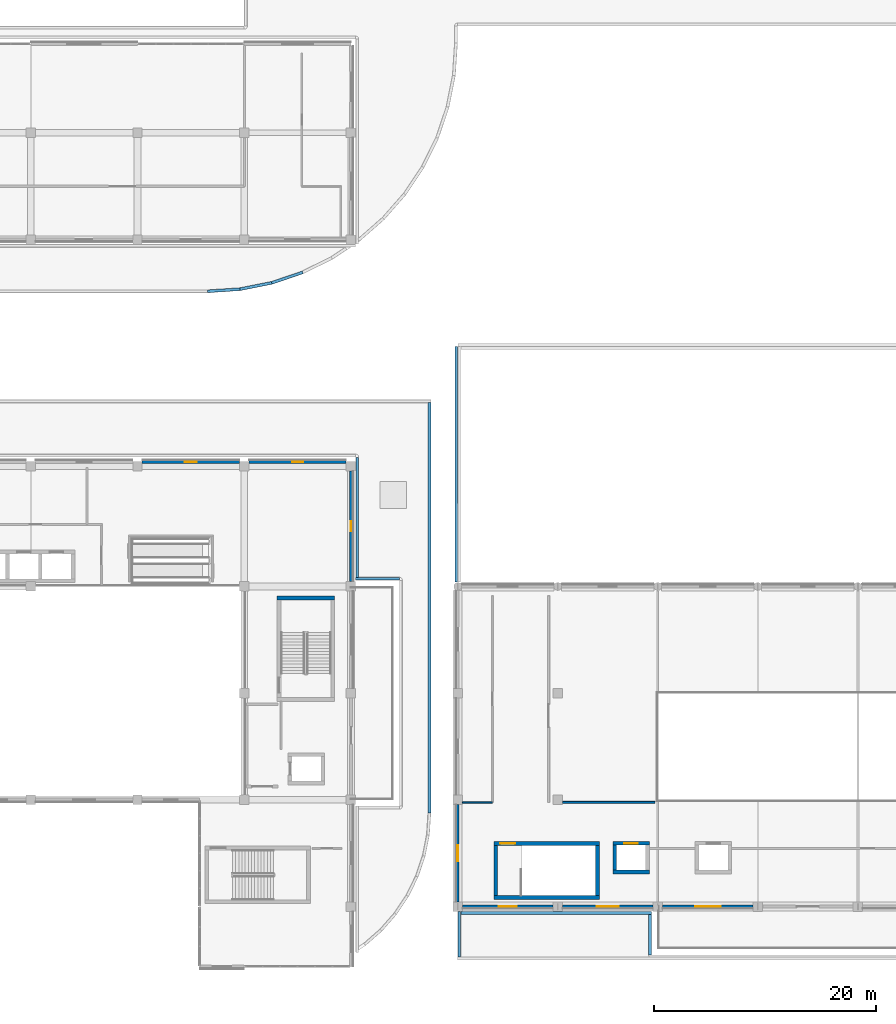
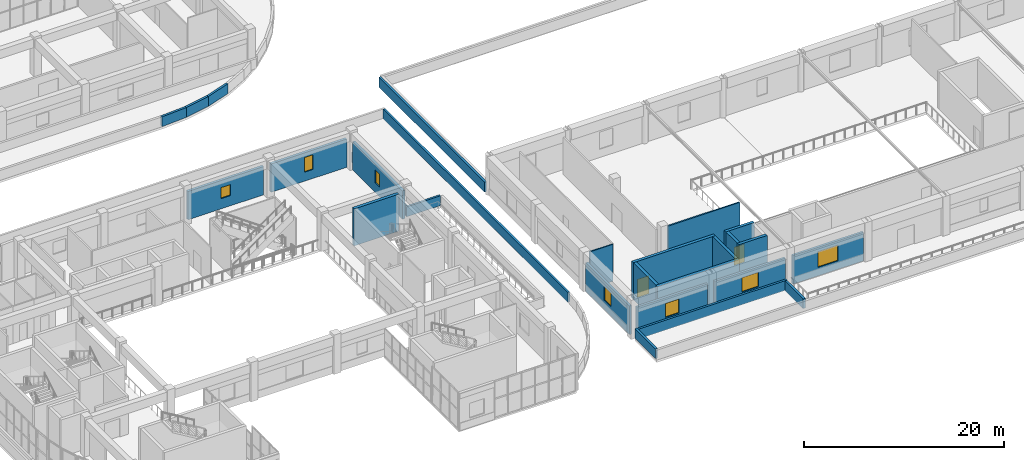
# One storey, part 44 of 67: 27 walls, 7 windows, 2 doors, 9 openings.
"""IFC4 building model written with IfcOpenShell, lengths in metres."""

from ifc_helpers import new_model, si_unit, direction, frame, frame_2d, origin, place, context, subcontext, project, spatial, rectangle, extrude, material, layer, layer_set, type_object, element, fill, save


model = new_model("IFC4")

# Units and contexts
model_context = context("Model", 3, precision=1e-05, world=origin(), true_north=direction((0.0, 1.0)))
body_context = subcontext(model_context, "Body", "Model", "MODEL_VIEW")
ifc_project = project(units=[si_unit("LENGTHUNIT", "METRE"), si_unit("AREAUNIT", "SQUARE_METRE"), si_unit("VOLUMEUNIT", "CUBIC_METRE"), si_unit("PLANEANGLEUNIT", "RADIAN"), si_unit("MASSUNIT", "GRAM", prefix="KILO")], contexts=[model_context])

# Site, building, storey
site_placement = place(None, origin())
site = spatial("IfcSite", under=ifc_project, at=site_placement, CompositionType="ELEMENT")
building_placement = place(site_placement, origin())
building = spatial("IfcBuilding", under=site, at=building_placement, Name="Cendralis Terraced Arcade", CompositionType="ELEMENT")
storey_placement = place(building_placement, frame((0.0, 0.0, 15.0)))
storey = spatial("IfcBuildingStorey", under=building, at=storey_placement, Name="L03", CompositionType="ELEMENT", Elevation=15.0)

# Walls
ifc_material_1 = material(Name="Concrete f'c 42 MPa", Category="concrete")
ifc_layer_1 = layer(ifc_material_1, 0.340087890625, Name="WL-CORE-340")
ifc_layer_set_1 = layer_set([ifc_layer_1], Name="Concrete f'c 42 MPa")
wall_type_1 = type_object("IfcWallType", Name="WL-CORE-340", PredefinedType="SHEAR", material=ifc_layer_set_1)
wall_1_placement = place(storey_placement, frame((50.9599609375, 37.3701171875, 0.0), z_axis=(0.0, 0.0, 1.0), x_axis=(1.0, 0.0, 0.0)))
element("IfcWall", 1, at=wall_1_placement, inside=storey, type_object=wall_type_1, Name="Stair Core Reinforced Concrete Shear Wall SW-ST-04-L03-N", PredefinedType="SHEAR", context=body_context, shape_type="SweptSolid", body=[
    extrude(rectangle(XDim=5.179931640625, YDim=0.340087890625, at=frame_2d((2.58984375, 0.0))), origin(), (0.0, 0.0, 1.0), 4.52001953125),
])
wall_2_placement = place(storey_placement, frame((70.4599609375, 10.429931640625, 0.0), z_axis=(0.0, 0.0, 1.0), x_axis=(1.0, 0.0, 0.0)))
element("IfcWall", 2, at=wall_2_placement, inside=storey, type_object=wall_type_1, Name="Stair Core Reinforced Concrete Shear Wall SW-ST-08-L03-S", PredefinedType="SHEAR", context=body_context, shape_type="SweptSolid", body=[
    extrude(rectangle(XDim=9.47998046875, YDim=0.340087890625, at=frame_2d((4.739990234375, 0.0))), origin(), (0.0, 0.0, 1.0), 4.52001953125),
])

# Wall, opening, door
wall_3_placement = place(storey_placement, frame((70.4599609375, 15.27001953125, 0.0), z_axis=(0.0, 0.0, 1.0), x_axis=(1.0, 0.0, 0.0)))
wall_3 = element("IfcWall", 3, at=wall_3_placement, inside=storey, type_object=wall_type_1, Name="Stair Core Reinforced Concrete Shear Wall SW-ST-08-L03-N", PredefinedType="SHEAR", context=body_context, shape_type="SweptSolid", body=[
    extrude(rectangle(XDim=9.47998046875, YDim=0.340087890625, at=frame_2d((4.739990234375, 0.0))), origin(), (0.0, 0.0, 1.0), 4.52001953125),
])
opening_1_placement = place(wall_3_placement, frame((0.550048828125, 0.0, 0.0)))
opening_1 = element("IfcOpeningElement", 4, at=opening_1_placement, cuts=wall_3, Name="Opening D-ST-08-L03", PredefinedType="OPENING", context=body_context, shape_type="SweptSolid", body=[
    extrude(rectangle(XDim=1.35009765625, YDim=2.199951171875, at=frame_2d((0.675048828125, 1.10009765625))), frame((0.0, 0.18212890625, 0.0), z_axis=(0.0, -1.0, 0.0), x_axis=(1.0, 0.0, 0.0)), (0.0, 0.0, 1.0), 0.364013671875),
])
ifc_material_2 = material(Name="Galvanised fire-rated steel door assembly", Category="steel")
door_type_1 = type_object("IfcDoorType", Name="ID-ST-1350x2200", OperationType="NOTDEFINED", PredefinedType="DOOR", material=ifc_material_2)
door_1_placement = place(opening_1_placement, frame((1.35009765625, 0.0, 0.0), z_axis=(0.0, 0.0, 1.0), x_axis=(-1.0, 0.0, 0.0)))
door_1 = element("IfcDoor", 5, at=door_1_placement, inside=storey, type_object=door_type_1, Name="Protected Stair ST-08 Fire Door (L03)", OperationType="SINGLE_SWING_LEFT", OverallHeight=2.199951171875, OverallWidth=1.35009765625, PredefinedType="DOOR", context=body_context, shape_type="SweptSolid", body=[
    extrude(rectangle(XDim=1.35009765625, YDim=2.199951171875, at=frame_2d((0.675048828125, 1.10009765625))), frame((0.0, 0.02490234375, 0.0), z_axis=(0.0, -1.0, 0.0), x_axis=(1.0, 0.0, 0.0)), (0.0, 0.0, 1.0), 0.050048828125),
])
fill(opening_1, door_1)

# Walls
for number, where, z_axis, x_axis, name in (
    (6, (79.77001953125, 10.60009765625, 0.0), (0.0, 0.0, 1.0), (0.0, 1.0, 0.0), "Stair Core Reinforced Concrete Shear Wall SW-ST-08-L03-E"),
    (7, (70.6298828125, 10.60009765625, 0.0), (0.0, 0.0, 1.0), (0.0, 1.0, 0.0), "Stair Core Reinforced Concrete Shear Wall SW-ST-08-L03-W"),
):
    element("IfcWall", number, at=place(storey_placement, frame(where, z_axis=z_axis, x_axis=x_axis)), inside=storey, type_object=wall_type_1, Name=name, PredefinedType="SHEAR", context=body_context, shape_type="SweptSolid", body=[
        extrude(rectangle(XDim=4.5, YDim=0.340087890625, at=frame_2d((2.25, 0.0))), origin(), (0.0, 0.0, 1.0), 4.52001953125),
    ])
wall_4_placement = place(storey_placement, frame((81.159912109375, 12.705078125, 0.0), z_axis=(0.0, 0.0, 1.0), x_axis=(1.0, 0.0, 0.0)))
element("IfcWall", 8, at=wall_4_placement, inside=storey, type_object=wall_type_1, Name="Lift PL-07 Reinforced Concrete Shaft Wall (L03)", PredefinedType="SHEAR", context=body_context, shape_type="SweptSolid", body=[
    extrude(rectangle(XDim=3.280029296875, YDim=0.340087890625, at=frame_2d((1.64013671875, 0.0))), origin(), (0.0, 0.0, 1.0), 4.52001953125),
])

# Wall, opening, door
wall_5_placement = place(storey_placement, frame((81.159912109375, 15.294921875, 0.0), z_axis=(0.0, 0.0, 1.0), x_axis=(1.0, 0.0, 0.0)))
wall_5 = element("IfcWall", 9, at=wall_5_placement, inside=storey, type_object=wall_type_1, Name="Lift PL-07 Reinforced Concrete Shaft Wall (L03)", PredefinedType="SHEAR", context=body_context, shape_type="SweptSolid", body=[
    extrude(rectangle(XDim=3.280029296875, YDim=0.340087890625, at=frame_2d((1.64013671875, 0.0))), origin(), (0.0, 0.0, 1.0), 4.52001953125),
])
opening_2_placement = place(wall_5_placement, frame((1.0400390625, 0.0, 0.0)))
opening_2 = element("IfcOpeningElement", 10, at=opening_2_placement, cuts=wall_5, Name="Opening LD-PL-07-L03", PredefinedType="OPENING", context=body_context, shape_type="SweptSolid", body=[
    extrude(rectangle(XDim=1.199951171875, YDim=2.199951171875, at=frame_2d((0.60009765625, 1.10009765625))), frame((0.0, 0.18212890625, 0.0), z_axis=(0.0, -1.0, 0.0), x_axis=(1.0, 0.0, 0.0)), (0.0, 0.0, 1.0), 0.364013671875),
])
ifc_material_3 = material(Name="Anodised aluminium sliding door assembly", Category="aluminium")
door_type_2 = type_object("IfcDoorType", Name="ID-LD-PX-1200x2200", OperationType="DOUBLE_DOOR_SLIDING", PredefinedType="DOOR", material=ifc_material_3)
door_2_placement = place(opening_2_placement, origin())
door_2 = element("IfcDoor", 11, at=door_2_placement, inside=storey, type_object=door_type_2, Name="Lift PL-07 Sliding Landing Door (L03)", OperationType="DOUBLE_DOOR_SLIDING", OverallHeight=2.199951171875, OverallWidth=1.199951171875, PredefinedType="DOOR", context=body_context, shape_type="SweptSolid", body=[
    extrude(rectangle(XDim=1.199951171875, YDim=2.199951171875, at=frame_2d((0.60009765625, 1.10009765625))), frame((0.0, 0.02490234375, 0.0), z_axis=(0.0, -1.0, 0.0), x_axis=(1.0, 0.0, 0.0)), (0.0, 0.0, 1.0), 0.050048828125),
])
fill(opening_2, door_2)

# Wall
wall_6_placement = place(storey_placement, frame((81.330078125, 12.875, 0.0), z_axis=(0.0, 0.0, 1.0), x_axis=(0.0, 1.0, 0.0)))
element("IfcWall", 12, at=wall_6_placement, inside=storey, type_object=wall_type_1, Name="Lift PL-07 Reinforced Concrete Shaft Wall (L03)", PredefinedType="SHEAR", context=body_context, shape_type="SweptSolid", body=[
    extrude(rectangle(XDim=2.25, YDim=0.340087890625, at=frame_2d((1.125, 0.0))), origin(), (0.0, 0.0, 1.0), 4.52001953125),
])

# Wall, opening, window
ifc_material_4 = material(Name="Precast concrete f'c 40 MPa", Category="concrete")
ifc_layer_2 = layer(ifc_material_4, 0.300048828125, Name="WL-EXT-GRC-300")
ifc_layer_set_2 = layer_set([ifc_layer_2], Name="Precast concrete f'c 40 MPa")
wall_type_2 = type_object("IfcWallType", Name="WL-EXT-GRC-300", PredefinedType="SOLIDWALL", material=ifc_layer_set_2)
wall_7_placement = place(storey_placement, frame((38.822998046875, 49.60009765625, 0.0), z_axis=(0.0, 0.0, 1.0), x_axis=(1.0, 0.0, 0.0)))
wall_7 = element("IfcWall", 13, at=wall_7_placement, inside=storey, type_object=wall_type_2, Name="Exterior Architectural Wall EW-L03-0261", PredefinedType="SOLIDWALL", context=body_context, shape_type="SweptSolid", body=[
    extrude(rectangle(XDim=8.75390625, YDim=0.300048828125, at=frame_2d((4.376953125, 0.0))), origin(), (0.0, 0.0, 1.0), 3.4599609375),
])
opening_3_placement = place(wall_7_placement, frame((3.826904296875, 0.0, 1.25)))
opening_3 = element("IfcOpeningElement", 14, at=opening_3_placement, cuts=wall_7, Name="Opening W-22", PredefinedType="OPENING", context=body_context, shape_type="SweptSolid", body=[
    extrude(rectangle(XDim=1.10009765625, YDim=1.35009765625, at=frame_2d((0.550048828125, 0.675048828125))), frame((0.0, 0.162109375, 0.0), z_axis=(0.0, -1.0, 0.0), x_axis=(1.0, 0.0, 0.0)), (0.0, 0.0, 1.0), 0.323974609375),
])
ifc_material_5 = material(Name="Tempered solar control laminated glass", Category="glass")
window_type_1 = type_object("IfcWindowType", Name="WN-BOH-1100x1350", PartitioningType="SINGLE_PANEL", PredefinedType="WINDOW", material=ifc_material_5)
window_1_placement = place(opening_3_placement, origin())
window_1 = element("IfcWindow", 15, at=window_1_placement, inside=storey, type_object=window_type_1, Name="Exterior Solar-Control Window WN-L03-0169", OverallHeight=1.35009765625, OverallWidth=1.10009765625, PartitioningType="SINGLE_PANEL", PredefinedType="WINDOW", context=body_context, shape_type="SweptSolid", body=[
    extrude(rectangle(XDim=1.10009765625, YDim=1.35009765625, at=frame_2d((0.550048828125, 0.675048828125))), frame((0.0, 0.030029296875, 0.0), z_axis=(0.0, -1.0, 0.0), x_axis=(1.0, 0.0, 0.0)), (0.0, 0.0, 1.0), 0.06005859375),
])
fill(opening_3, window_1)

wall_8_placement = place(storey_placement, frame((48.423095703125, 49.60009765625, 0.0), z_axis=(0.0, 0.0, 1.0), x_axis=(1.0, 0.0, 0.0)))
wall_8 = element("IfcWall", 16, at=wall_8_placement, inside=storey, type_object=wall_type_2, Name="Exterior Architectural Wall EW-L03-0262", PredefinedType="SOLIDWALL", context=body_context, shape_type="SweptSolid", body=[
    extrude(rectangle(XDim=8.75390625, YDim=0.300048828125, at=frame_2d((4.376953125, 0.0))), origin(), (0.0, 0.0, 1.0), 3.4599609375),
])
opening_4_placement = place(wall_8_placement, frame((3.876953125, 0.0, 1.10009765625)))
opening_4 = element("IfcOpeningElement", 17, at=opening_4_placement, cuts=wall_8, Name="Opening W-23", PredefinedType="OPENING", context=body_context, shape_type="SweptSolid", body=[
    extrude(rectangle(XDim=1.0, YDim=1.800048828125, at=frame_2d((0.5, 0.89990234375))), frame((0.0, 0.162109375, 0.0), z_axis=(0.0, -1.0, 0.0), x_axis=(1.0, 0.0, 0.0)), (0.0, 0.0, 1.0), 0.323974609375),
])
window_type_2 = type_object("IfcWindowType", Name="WN-ST-1000x1800", PartitioningType="SINGLE_PANEL", PredefinedType="WINDOW", material=ifc_material_5)
window_2_placement = place(opening_4_placement, origin())
window_2 = element("IfcWindow", 18, at=window_2_placement, inside=storey, type_object=window_type_2, Name="Exterior Solar-Control Window WN-L03-0170", OverallHeight=1.800048828125, OverallWidth=1.0, PartitioningType="SINGLE_PANEL", PredefinedType="WINDOW", context=body_context, shape_type="SweptSolid", body=[
    extrude(rectangle(XDim=1.0, YDim=1.800048828125, at=frame_2d((0.5, 0.89990234375))), frame((0.0, 0.030029296875, 0.0), z_axis=(0.0, -1.0, 0.0), x_axis=(1.0, 0.0, 0.0)), (0.0, 0.0, 1.0), 0.06005859375),
])
fill(opening_4, window_2)

wall_9_placement = place(storey_placement, frame((57.60009765625, 48.777099609375, 0.0), z_axis=(0.0, 0.0, 1.0), x_axis=(0.0, -1.0, 0.0)))
wall_9 = element("IfcWall", 19, at=wall_9_placement, inside=storey, type_object=wall_type_2, Name="Exterior Architectural Wall EW-L03-0263", PredefinedType="SOLIDWALL", context=body_context, shape_type="SweptSolid", body=[
    extrude(rectangle(XDim=9.9541015625, YDim=0.300048828125, at=frame_2d((4.97705078125, 0.0))), origin(), (0.0, 0.0, 1.0), 3.4599609375),
])
opening_5_placement = place(wall_9_placement, frame((4.527099609375, 0.0, 1.14990234375)))
opening_5 = element("IfcOpeningElement", 20, at=opening_5_placement, cuts=wall_9, Name="Opening W-24", PredefinedType="OPENING", context=body_context, shape_type="SweptSolid", body=[
    extrude(rectangle(XDim=0.89990234375, YDim=1.60009765625, at=frame_2d((0.449951171875, 0.800048828125))), frame((0.0, 0.162109375, 0.0), z_axis=(0.0, -1.0, 0.0), x_axis=(1.0, 0.0, 0.0)), (0.0, 0.0, 1.0), 0.323974609375),
])
window_type_3 = type_object("IfcWindowType", Name="WN-ST-0900x1600", PartitioningType="SINGLE_PANEL", PredefinedType="WINDOW", material=ifc_material_5)
window_3_placement = place(opening_5_placement, origin())
window_3 = element("IfcWindow", 21, at=window_3_placement, inside=storey, type_object=window_type_3, Name="Exterior Solar-Control Window WN-L03-0171", OverallHeight=1.60009765625, OverallWidth=0.89990234375, PartitioningType="SINGLE_PANEL", PredefinedType="WINDOW", context=body_context, shape_type="SweptSolid", body=[
    extrude(rectangle(XDim=0.89990234375, YDim=1.60009765625, at=frame_2d((0.449951171875, 0.800048828125))), frame((0.0, 0.030029296875, 0.0), z_axis=(0.0, -1.0, 0.0), x_axis=(1.0, 0.0, 0.0)), (0.0, 0.0, 1.0), 0.06005859375),
])
fill(opening_5, window_3)

ifc_material_6 = material(Name="Terracotta clay masonry", Category="masonry")
ifc_layer_3 = layer(ifc_material_6, 0.264892578125, Name="WL-EXT-TER-265")
ifc_layer_set_3 = layer_set([ifc_layer_3], Name="Terracotta clay masonry")
wall_type_3 = type_object("IfcWallType", Name="WL-EXT-TER-265", PredefinedType="SOLIDWALL", material=ifc_layer_set_3)
wall_10_placement = place(storey_placement, frame((93.777099609375, 9.60009765625, 0.0), z_axis=(0.0, 0.0, 1.0), x_axis=(-1.0, 0.0, 0.0)))
wall_10 = element("IfcWall", 22, at=wall_10_placement, inside=storey, type_object=wall_type_3, Name="Exterior Architectural Wall EW-L03-0244", PredefinedType="SOLIDWALL", context=body_context, shape_type="SweptSolid", body=[
    extrude(rectangle(XDim=8.154052734375, YDim=0.264892578125, at=frame_2d((4.0771484375, 0.0))), origin(), (0.0, 0.0, 1.0), 3.489990234375),
])
opening_6_placement = place(wall_10_placement, frame((2.927001953125, 0.0, 1.050048828125)))
opening_6 = element("IfcOpeningElement", 23, at=opening_6_placement, cuts=wall_10, Name="Opening W-26", PredefinedType="OPENING", context=body_context, shape_type="SweptSolid", body=[
    extrude(rectangle(XDim=2.300048828125, YDim=1.89990234375, at=frame_2d((1.14990234375, 0.949951171875))), frame((0.0, 0.14453125, 0.0), z_axis=(0.0, -1.0, 0.0), x_axis=(1.0, 0.0, 0.0)), (0.0, 0.0, 1.0), 0.288818359375),
])
window_type_4 = type_object("IfcWindowType", Name="WN-F3-2300x1900", PartitioningType="SINGLE_PANEL", PredefinedType="WINDOW", material=ifc_material_5)
window_4_placement = place(opening_6_placement, origin())
window_4 = element("IfcWindow", 24, at=window_4_placement, inside=storey, type_object=window_type_4, Name="Exterior Solar-Control Window WN-L03-0154", OverallHeight=1.89990234375, OverallWidth=2.300048828125, PartitioningType="SINGLE_PANEL", PredefinedType="WINDOW", context=body_context, shape_type="SweptSolid", body=[
    extrude(rectangle(XDim=2.300048828125, YDim=1.89990234375, at=frame_2d((1.14990234375, 0.949951171875))), frame((0.0, 0.030029296875, 0.0), z_axis=(0.0, -1.0, 0.0), x_axis=(1.0, 0.0, 0.0)), (0.0, 0.0, 1.0), 0.06005859375),
])
fill(opening_6, window_4)

wall_11_placement = place(storey_placement, frame((84.777099609375, 9.60009765625, 0.0), z_axis=(0.0, 0.0, 1.0), x_axis=(-1.0, 0.0, 0.0)))
wall_11 = element("IfcWall", 25, at=wall_11_placement, inside=storey, type_object=wall_type_3, Name="Exterior Architectural Wall EW-L03-0245", PredefinedType="SOLIDWALL", context=body_context, shape_type="SweptSolid", body=[
    extrude(rectangle(XDim=8.154052734375, YDim=0.264892578125, at=frame_2d((4.0771484375, 0.0))), origin(), (0.0, 0.0, 1.0), 3.489990234375),
])
opening_7_placement = place(wall_11_placement, frame((3.10205078125, 0.0, 1.10009765625)))
opening_7 = element("IfcOpeningElement", 26, at=opening_7_placement, cuts=wall_11, Name="Opening W-27", PredefinedType="OPENING", context=body_context, shape_type="SweptSolid", body=[
    extrude(rectangle(XDim=1.949951171875, YDim=1.75, at=frame_2d((0.97509765625, 0.875))), frame((0.0, 0.14453125, 0.0), z_axis=(0.0, -1.0, 0.0), x_axis=(1.0, 0.0, 0.0)), (0.0, 0.0, 1.0), 0.288818359375),
])
window_type_5 = type_object("IfcWindowType", Name="WN-F3-1950x1750", PartitioningType="SINGLE_PANEL", PredefinedType="WINDOW", material=ifc_material_5)
window_5_placement = place(opening_7_placement, origin())
window_5 = element("IfcWindow", 27, at=window_5_placement, inside=storey, type_object=window_type_5, Name="Exterior Solar-Control Window WN-L03-0155", OverallHeight=1.75, OverallWidth=1.949951171875, PartitioningType="SINGLE_PANEL", PredefinedType="WINDOW", context=body_context, shape_type="SweptSolid", body=[
    extrude(rectangle(XDim=1.949951171875, YDim=1.75, at=frame_2d((0.97509765625, 0.875))), frame((0.0, 0.030029296875, 0.0), z_axis=(0.0, -1.0, 0.0), x_axis=(1.0, 0.0, 0.0)), (0.0, 0.0, 1.0), 0.06005859375),
])
fill(opening_7, window_5)

wall_12_placement = place(storey_placement, frame((75.777099609375, 9.60009765625, 0.0), z_axis=(0.0, 0.0, 1.0), x_axis=(-1.0, 0.0, 0.0)))
wall_12 = element("IfcWall", 28, at=wall_12_placement, inside=storey, type_object=wall_type_3, Name="Exterior Architectural Wall EW-L03-0246", PredefinedType="SOLIDWALL", context=body_context, shape_type="SweptSolid", body=[
    extrude(rectangle(XDim=8.154052734375, YDim=0.264892578125, at=frame_2d((4.0771484375, 0.0))), origin(), (0.0, 0.0, 1.0), 3.489990234375),
])
opening_8_placement = place(wall_12_placement, frame((3.277099609375, 0.0, 1.10009765625)))
opening_8 = element("IfcOpeningElement", 29, at=opening_8_placement, cuts=wall_12, Name="Opening W-28", PredefinedType="OPENING", context=body_context, shape_type="SweptSolid", body=[
    extrude(rectangle(XDim=1.60009765625, YDim=1.699951171875, at=frame_2d((0.800048828125, 0.85009765625))), frame((0.0, 0.14453125, 0.0), z_axis=(0.0, -1.0, 0.0), x_axis=(1.0, 0.0, 0.0)), (0.0, 0.0, 1.0), 0.288818359375),
])
window_type_6 = type_object("IfcWindowType", Name="WN-F3-1600x1700", PartitioningType="SINGLE_PANEL", PredefinedType="WINDOW", material=ifc_material_5)
window_6_placement = place(opening_8_placement, origin())
window_6 = element("IfcWindow", 30, at=window_6_placement, inside=storey, type_object=window_type_6, Name="Exterior Solar-Control Window WN-L03-0156", OverallHeight=1.699951171875, OverallWidth=1.60009765625, PartitioningType="SINGLE_PANEL", PredefinedType="WINDOW", context=body_context, shape_type="SweptSolid", body=[
    extrude(rectangle(XDim=1.60009765625, YDim=1.699951171875, at=frame_2d((0.800048828125, 0.85009765625))), frame((0.0, 0.030029296875, 0.0), z_axis=(0.0, -1.0, 0.0), x_axis=(1.0, 0.0, 0.0)), (0.0, 0.0, 1.0), 0.06005859375),
])
fill(opening_8, window_6)

wall_13_placement = place(storey_placement, frame((67.199951171875, 10.02294921875, 0.0), z_axis=(0.0, 0.0, 1.0), x_axis=(0.0, 1.0, 0.0)))
wall_13 = element("IfcWall", 31, at=wall_13_placement, inside=storey, type_object=wall_type_3, Name="Exterior Architectural Wall EW-L03-0247", PredefinedType="SOLIDWALL", context=body_context, shape_type="SweptSolid", body=[
    extrude(rectangle(XDim=8.754150390625, YDim=0.264892578125, at=frame_2d((4.376953125, 0.0))), origin(), (0.0, 0.0, 1.0), 3.489990234375),
])
opening_9_placement = place(wall_13_placement, frame((3.677001953125, 0.0, 1.14990234375)))
opening_9 = element("IfcOpeningElement", 32, at=opening_9_placement, cuts=wall_13, Name="Opening W-29", PredefinedType="OPENING", context=body_context, shape_type="SweptSolid", body=[
    extrude(rectangle(XDim=1.39990234375, YDim=1.64990234375, at=frame_2d((0.699951171875, 0.824951171875))), frame((0.0, 0.14453125, 0.0), z_axis=(0.0, -1.0, 0.0), x_axis=(1.0, 0.0, 0.0)), (0.0, 0.0, 1.0), 0.288818359375),
])
window_type_7 = type_object("IfcWindowType", Name="WN-F3-1400x1650", PartitioningType="SINGLE_PANEL", PredefinedType="WINDOW", material=ifc_material_5)
window_7_placement = place(opening_9_placement, origin())
window_7 = element("IfcWindow", 33, at=window_7_placement, inside=storey, type_object=window_type_7, Name="Exterior Solar-Control Window WN-L03-0157", OverallHeight=1.64990234375, OverallWidth=1.39990234375, PartitioningType="SINGLE_PANEL", PredefinedType="WINDOW", context=body_context, shape_type="SweptSolid", body=[
    extrude(rectangle(XDim=1.39990234375, YDim=1.64990234375, at=frame_2d((0.699951171875, 0.824951171875))), frame((0.0, 0.030029296875, 0.0), z_axis=(0.0, -1.0, 0.0), x_axis=(1.0, 0.0, 0.0)), (0.0, 0.0, 1.0), 0.06005859375),
])
fill(opening_9, window_7)

# Walls
ifc_layer_4 = layer(ifc_material_4, 0.22998046875, Name="WL-PAR-230")
ifc_layer_set_4 = layer_set([ifc_layer_4], Name="Precast concrete f'c 40 MPa")
wall_type_4 = type_object("IfcWallType", Name="WL-PAR-230", PredefinedType="PARAPET", material=ifc_layer_set_4)
wall_14_placement = place(storey_placement, frame((61.949951171875, 39.0849609375, 0.0), z_axis=(0.0, 0.0, 1.0), x_axis=(-1.0, 0.0, 0.0)))
element("IfcWall", 34, at=wall_14_placement, inside=storey, type_object=wall_type_4, Name="Precast Concrete Roof Parapet Wall PAR-L03-333", PredefinedType="PARAPET", context=body_context, shape_type="SweptSolid", body=[
    extrude(rectangle(XDim=3.929931640625, YDim=0.22998046875, at=frame_2d((1.96484375, 0.0))), origin(), (0.0, 0.0, 1.0), 1.199951171875),
])
wall_15_placement = place(storey_placement, frame((58.155029296875, 39.219970703125, 0.0), z_axis=(0.0, 0.0, 1.0), x_axis=(0.0, 1.0, 0.0)))
element("IfcWall", 35, at=wall_15_placement, inside=storey, type_object=wall_type_4, Name="Precast Concrete Roof Parapet Wall PAR-L03-334", PredefinedType="PARAPET", context=body_context, shape_type="SweptSolid", body=[
    extrude(rectangle(XDim=10.800048828125, YDim=0.22998046875, at=frame_2d((5.39990234375, 0.0))), origin(), (0.0, 0.0, 1.0), 1.199951171875),
])
wall_16_placement = place(storey_placement, frame((64.6650390625, 54.929931640625, 0.0), z_axis=(0.0, 0.0, 1.0), x_axis=(0.0, -1.0, 0.0)))
element("IfcWall", 36, at=wall_16_placement, inside=storey, type_object=wall_type_4, Name="Precast Concrete Roof Parapet Wall PAR-L03-377", PredefinedType="PARAPET", context=body_context, shape_type="SweptSolid", body=[
    extrude(rectangle(XDim=36.929931640625, YDim=0.22998046875, at=frame_2d((18.46484375, 0.0))), origin(), (0.0, 0.0, 1.0), 1.199951171875),
])
ifc_layer_5 = layer(ifc_material_4, 0.25, Name="WL-PAR-250")
ifc_layer_set_5 = layer_set([ifc_layer_5], Name="Precast concrete f'c 40 MPa")
wall_type_5 = type_object("IfcWallType", Name="WL-PAR-250", PredefinedType="PARAPET", material=ifc_layer_set_5)
wall_17_placement = place(storey_placement, frame((53.263916015625, 66.64990234375, 0.0), z_axis=(0.0, 0.0, 1.0), x_axis=(-0.946960671306, -0.321349477982, 0.0)))
element("IfcWall", 37, at=wall_17_placement, inside=storey, type_object=wall_type_5, Name="Precast Concrete Roof Parapet Wall PAR-L03-227", PredefinedType="PARAPET", context=body_context, shape_type="SweptSolid", body=[
    extrude(rectangle(XDim=2.943115234375, YDim=0.25, at=frame_2d((1.4716796875, 0.0))), origin(), (0.0, 0.0, 1.0), 1.199951171875),
])
wall_18_placement = place(storey_placement, frame((50.4951171875, 65.708984375, 0.0), z_axis=(0.0, 0.0, 1.0), x_axis=(-0.980784325432, -0.195095122921, 0.0)))
element("IfcWall", 38, at=wall_18_placement, inside=storey, type_object=wall_type_5, Name="Precast Concrete Roof Parapet Wall PAR-L03-228", PredefinedType="PARAPET", context=body_context, shape_type="SweptSolid", body=[
    extrude(rectangle(XDim=2.943359375, YDim=0.25, at=frame_2d((1.4716796875, 0.0))), origin(), (0.0, 0.0, 1.0), 1.199951171875),
])
wall_19_placement = place(storey_placement, frame((47.627197265625, 65.13720703125, 0.0), z_axis=(0.0, 0.0, 1.0), x_axis=(-0.997855794596, -0.065450845618, 0.0)))
element("IfcWall", 39, at=wall_19_placement, inside=storey, type_object=wall_type_5, Name="Precast Concrete Roof Parapet Wall PAR-L03-229", PredefinedType="PARAPET", context=body_context, shape_type="SweptSolid", body=[
    extrude(rectangle(XDim=2.943115234375, YDim=0.25, at=frame_2d((1.4716796875, 0.0))), origin(), (0.0, 0.0, 1.0), 1.199951171875),
])
wall_20_placement = place(storey_placement, frame((67.344970703125, 5.090087890625, 0.0), z_axis=(0.0, 0.0, 1.0), x_axis=(0.0, 1.0, 0.0)))
element("IfcWall", 40, at=wall_20_placement, inside=storey, type_object=wall_type_5, Name="Precast Concrete Roof Parapet Wall PAR-L03-302", PredefinedType="PARAPET", context=body_context, shape_type="SweptSolid", body=[
    extrude(rectangle(XDim=4.08984375, YDim=0.25, at=frame_2d((2.044921875, 0.0))), origin(), (0.0, 0.0, 1.0), 1.199951171875),
])
wall_21_placement = place(storey_placement, frame((67.489990234375, 9.034912109375, 0.0), z_axis=(0.0, 0.0, 1.0), x_axis=(1.0, 0.0, 0.0)))
element("IfcWall", 41, at=wall_21_placement, inside=storey, type_object=wall_type_5, Name="Precast Concrete Roof Parapet Wall PAR-L03-303", PredefinedType="PARAPET", context=body_context, shape_type="SweptSolid", body=[
    extrude(rectangle(XDim=17.159912109375, YDim=0.25, at=frame_2d((8.580078125, 0.0))), origin(), (0.0, 0.0, 1.0), 1.199951171875),
])
wall_22_placement = place(storey_placement, frame((84.5048828125, 8.889892578125, 0.0), z_axis=(0.0, 0.0, 1.0), x_axis=(0.0, -1.0, 0.0)))
element("IfcWall", 42, at=wall_22_placement, inside=storey, type_object=wall_type_5, Name="Precast Concrete Roof Parapet Wall PAR-L03-304", PredefinedType="PARAPET", context=body_context, shape_type="SweptSolid", body=[
    extrude(rectangle(XDim=3.639892578125, YDim=0.25, at=frame_2d((1.81982421875, 0.0))), origin(), (0.0, 0.0, 1.0), 1.199951171875),
])
wall_23_placement = place(storey_placement, frame((67.074951171875, 59.97998046875, 0.0), z_axis=(0.0, 0.0, 1.0), x_axis=(0.0, -1.0, 0.0)))
element("IfcWall", 43, at=wall_23_placement, inside=storey, type_object=wall_type_5, Name="Precast Concrete Roof Parapet Wall PAR-L03-321", PredefinedType="PARAPET", context=body_context, shape_type="SweptSolid", body=[
    extrude(rectangle(XDim=21.159912109375, YDim=0.25, at=frame_2d((10.580078125, 0.0))), origin(), (0.0, 0.0, 1.0), 1.199951171875),
])
ifc_material_7 = material(Name="Gypsum plasterboard acoustic partition", Category="concrete")
ifc_layer_6 = layer(ifc_material_7, 0.14501953125, Name="WL-PART-145")
ifc_layer_set_6 = layer_set([ifc_layer_6], Name="Gypsum plasterboard acoustic partition")
wall_type_6 = type_object("IfcWallType", Name="WL-PART-145", PredefinedType="PARTITIONING", material=ifc_layer_set_6)
wall_24_placement = place(storey_placement, frame((70.320068359375, 18.97998046875, 0.0), z_axis=(0.0, 0.0, 1.0), x_axis=(-1.0, 0.0, 0.0)))
element("IfcWall", 44, at=wall_24_placement, inside=storey, type_object=wall_type_6, Name="Interior Partition Wall IW-L03-0554", PredefinedType="PARTITIONING", context=body_context, shape_type="SweptSolid", body=[
    extrude(rectangle(XDim=2.695068359375, YDim=0.14501953125, at=frame_2d((1.34765625, 0.0))), origin(), (0.0, 0.0, 1.0), 4.52001953125),
])
ifc_layer_7 = layer(ifc_material_7, 0.1650390625, Name="WL-PART-165")
ifc_layer_set_7 = layer_set([ifc_layer_7], Name="Gypsum plasterboard acoustic partition")
wall_type_7 = type_object("IfcWallType", Name="WL-PART-165", PredefinedType="PARTITIONING", material=ifc_layer_set_7)
wall_25_placement = place(storey_placement, frame((84.94091796875, 18.97998046875, 0.0), z_axis=(0.0, 0.0, 1.0), x_axis=(-1.0, 0.0, 0.0)))
element("IfcWall", 45, at=wall_25_placement, inside=storey, type_object=wall_type_7, Name="Interior Partition Wall IW-L03-0551", PredefinedType="PARTITIONING", context=body_context, shape_type="SweptSolid", body=[
    extrude(rectangle(XDim=8.2958984375, YDim=0.1650390625, at=frame_2d((4.14794921875, 0.0))), origin(), (0.0, 0.0, 1.0), 4.52001953125),
])

save(model, "model.ifc")
